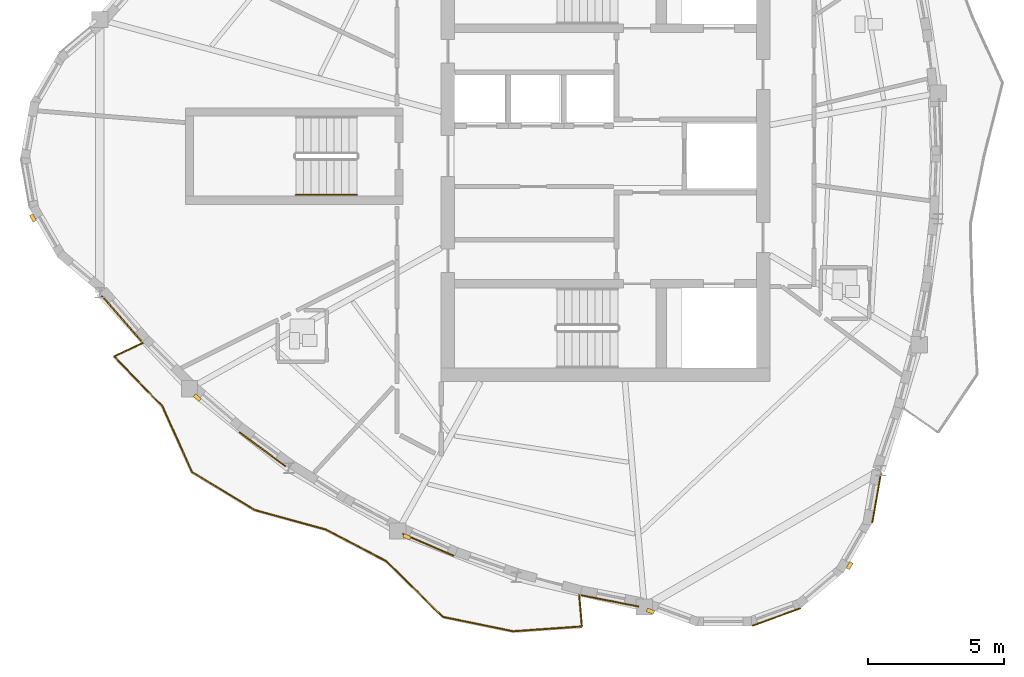
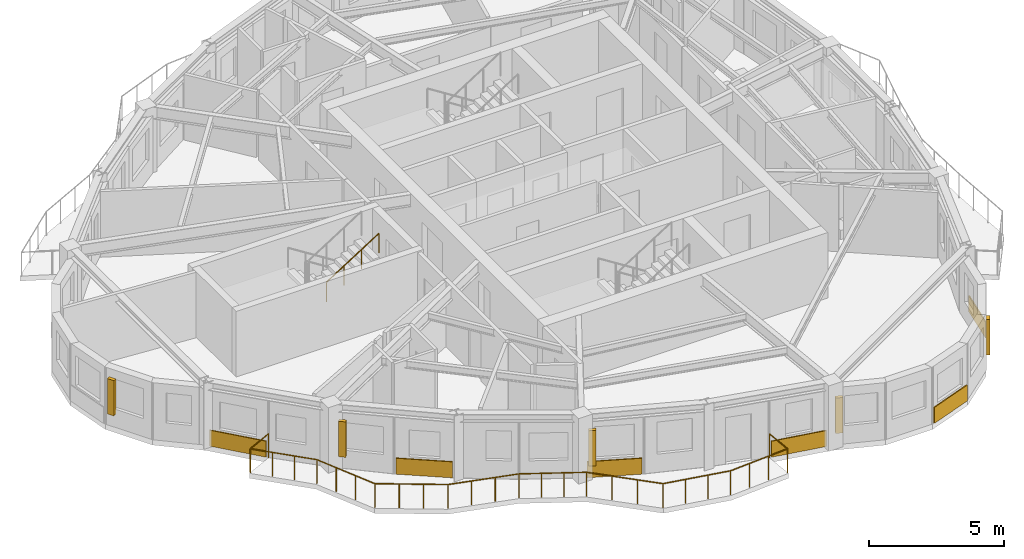
# One storey, part 9 of 12: 6 coverings, 5 shading devices, 2 railings.
"""IFC4 building model written with IfcOpenShell, lengths in metres."""

from ifc_helpers import new_model, si_unit, direction, frame, origin, origin_2d, place, context, subcontext, project, spatial, rectangle, circle, extrude, source, transform, mapped, material, layer, layer_set, type_object, element, save


model = new_model("IFC4")

# Units and contexts
model_context = context("Model", 3, precision=1e-05, world=origin(), true_north=direction((0.0, 1.0)))
body_context = subcontext(model_context, "Body", "Model", "MODEL_VIEW")
ifc_project = project(units=[si_unit("LENGTHUNIT", "METRE"), si_unit("AREAUNIT", "SQUARE_METRE"), si_unit("VOLUMEUNIT", "CUBIC_METRE"), si_unit("PLANEANGLEUNIT", "RADIAN"), si_unit("MASSUNIT", "GRAM", prefix="KILO")], contexts=[model_context])

# Site, building, storey
site_placement = place(None, origin())
site = spatial("IfcSite", under=ifc_project, at=site_placement, CompositionType="ELEMENT")
building_placement = place(site_placement, origin())
building = spatial("IfcBuilding", under=site, at=building_placement, Name="Qafzar Sky-Pleat Residences", CompositionType="ELEMENT")
storey_placement = place(building_placement, frame((0.0, 0.0, 198.800048828125)))
storey = spatial("IfcBuildingStorey", under=building, at=storey_placement, Name="L59", CompositionType="ELEMENT", Elevation=198.800048828125)

# Shading devices
ifc_material_1 = material(Name="Honed Riyadh limestone solar fin", Category="masonry")
ifc_layer_1 = layer(ifc_material_1, 0.139892578125)
ifc_layer_set_1 = layer_set([ifc_layer_1], Name="Honed Riyadh limestone solar fin")
shading_device_type = type_object("IfcShadingDeviceType", Name="SHD-FIN-STONE", PredefinedType="SHUTTER", material=ifc_layer_set_1)
shared_shape_1 = source(origin(), body_context, "Body", "SweptSolid", [
    extrude(rectangle(XDim=0.139892578125, YDim=0.280029296875, at=origin_2d()), origin(), (0.0, 0.0, 1.0), 1.60009765625),
])
for number, where, z_axis, x_axis, name in (
    (1, (9.28466796875, 23.72216796875, 0.599853515625), (0.0, 0.0, 1.0), (-0.86604422228, -0.499967403994, 0.0), "L59 Limestone Solar Fin 5"),
    (2, (15.3291015625, 17.113525390625, 0.599853515625), (0.0, 0.0, 1.0), (-0.652865714496, -0.757473668741, 0.0), "L59 Limestone Solar Fin 9"),
    (3, (23.043701171875, 11.990966796875, 0.599853515625), (0.0, 0.0, 1.0), (-0.398671159383, -0.917093946483, 0.0), "L59 Limestone Solar Fin 13"),
    (4, (32.003173828125, 9.256591796875, 0.599853515625), (0.0, 0.0, 1.0), (-0.342053959704, -0.939680311942, 0.0), "L59 Limestone Solar Fin 17"),
    (5, (39.330322265625, 10.930908203125, 0.599853515625), (0.0, 0.0, 1.0), (0.86604422228, -0.499967403994, 0.0), "L59 Limestone Solar Fin 21"),
):
    element("IfcShadingDevice", number, at=place(storey_placement, frame(where, z_axis=z_axis, x_axis=x_axis)), inside=storey, type_object=shading_device_type, Name=name, PredefinedType="SHUTTER", context=body_context, shape_type="MappedRepresentation", body=[
        mapped(shared_shape_1, transform((0.0, 0.0, 0.0), x_axis=(1.0, 0.0, 0.0), y_axis=(0.0, 1.0, 0.0), z_axis=(0.0, 0.0, 1.0), scale=1.0)),
    ])

# Coverings
ifc_material_2 = material(Name="Honed Riyadh Tuwaiq limestone cladding", Category="masonry")
ifc_layer_2 = layer(ifc_material_2, 0.044921875)
ifc_layer_set_2 = layer_set([ifc_layer_2], Name="Honed Riyadh Tuwaiq limestone cladding")
covering_type = type_object("IfcCoveringType", Name="COV-CLAD-STONE", PredefinedType="CLADDING", material=ifc_layer_set_2)
shared_shape_2 = source(origin(), body_context, "Body", "SweptSolid", [
    extrude(rectangle(XDim=1.88134765625, YDim=0.044921875, at=origin_2d()), origin(), (0.0, 0.0, 1.0), 0.719970703125),
])
covering_1_placement = place(storey_placement, frame((36.64111328125, 9.041748046875, 0.02001953125), z_axis=(0.0, 0.0, 1.0), x_axis=(0.939694209735, 0.342015777694, 0.0)))
element("IfcCovering", 6, at=covering_1_placement, inside=storey, type_object=covering_type, Name="L59 Riyadh Limestone Spandrel Cladding 19", PredefinedType="CLADDING", context=body_context, shape_type="MappedRepresentation", body=[
    mapped(shared_shape_2, transform((0.0, 0.0, 0.0), x_axis=(1.0, 0.0, 0.0), y_axis=(0.0, 1.0, 0.0), z_axis=(0.0, 0.0, 1.0), scale=1.0)),
])
shared_shape_3 = source(origin(), body_context, "Body", "SweptSolid", [
    extrude(rectangle(XDim=1.8291015625, YDim=0.044921875, at=origin_2d()), origin(), (0.0, 0.0, 1.0), 0.719970703125),
])
covering_2_placement = place(storey_placement, frame((40.32177734375, 13.40576171875, 0.02001953125), z_axis=(0.0, 0.0, 1.0), x_axis=(0.173695508338, 0.984799406165, 0.0)))
element("IfcCovering", 7, at=covering_2_placement, inside=storey, type_object=covering_type, Name="L59 Riyadh Limestone Spandrel Cladding 22", PredefinedType="CLADDING", context=body_context, shape_type="MappedRepresentation", body=[
    mapped(shared_shape_3, transform((0.0, 0.0, 0.0), x_axis=(1.0, 0.0, 0.0), y_axis=(0.0, 1.0, 0.0), z_axis=(0.0, 0.0, 1.0), scale=1.0)),
])

# Railing
ifc_material_3 = material(Name="Laminated glass and bronze steel balustrade", Category="steel")
railing_type_1 = type_object("IfcRailingType", Name="RAIL-BAL-1100", PredefinedType="BALUSTRADE", material=ifc_material_3)
shared_shape_4 = source(origin(), body_context, "Body", "SweptSolid", [
    extrude(circle(Radius=0.02392578125, at=origin_2d()), frame((0.0, 0.0, 1.076171875), z_axis=(-0.905536084906, -0.424269252873, 0.0), x_axis=(0.424269252873, -0.905536084906, 0.0)), (0.0, 0.0, 1.0), 1.177978515625),
    extrude(circle(Radius=0.02392578125, at=origin_2d()), frame((-1.066650390625, -0.499755859375, 1.076171875), z_axis=(0.69523722548, -0.718780356094, 0.0), x_axis=(0.718780356094, 0.69523722548, 0.0)), (0.0, 0.0, 1.0), 2.561279296875),
    extrude(circle(Radius=0.02392578125, at=origin_2d()), frame((0.714111328125, -2.3408203125, 1.076171875), z_axis=(0.409639012053, -0.912247707481, 0.0), x_axis=(0.912247707481, 0.409639012053, 0.0)), (0.0, 0.0, 1.0), 2.644287109375),
    extrude(circle(Radius=0.02392578125, at=origin_2d()), frame((1.79736328125, -4.753173828125, 1.076171875), z_axis=(0.855319046053, -0.518101659386, 0.0), x_axis=(0.518101659386, 0.855319046053, 0.0)), (0.0, 0.0, 1.0), 2.704833984375),
    extrude(circle(Radius=0.02392578125, at=origin_2d()), frame((4.11083984375, -6.154541015625, 1.076171875), z_axis=(0.964447609451, -0.264274116449, 0.0), x_axis=(0.264274116449, 0.964447609451, 0.0)), (0.0, 0.0, 1.0), 2.714111328125),
    extrude(circle(Radius=0.02392578125, at=origin_2d()), frame((6.728515625, -6.871826171875, 1.076171875), z_axis=(0.885758969061, -0.464145503832, 0.0), x_axis=(0.464145503832, 0.885758969061, 0.0)), (0.0, 0.0, 1.0), 2.502685546875),
    extrude(circle(Radius=0.02392578125, at=origin_2d()), frame((8.9453125, -8.033447265625, 1.076171875), z_axis=(0.71288863723, -0.701277256802, 0.0), x_axis=(0.701277256802, 0.71288863723, 0.0)), (0.0, 0.0, 1.0), 2.922607421875),
    extrude(circle(Radius=0.02392578125, at=origin_2d()), frame((11.02880859375, -10.0830078125, 1.076171875), z_axis=(0.9795526684, -0.201187896827, 0.0), x_axis=(0.201187896827, 0.9795526684, 0.0)), (0.0, 0.0, 1.0), 2.636962890625),
    extrude(circle(Radius=0.02392578125, at=origin_2d()), frame((13.61181640625, -10.613525390625, 1.076171875), z_axis=(0.997566397421, 0.069722899656, 0.0), x_axis=(-0.069722899656, 0.997566397421, 0.0)), (0.0, 0.0, 1.0), 2.53857421875),
    extrude(circle(Radius=0.02392578125, at=origin_2d()), frame((16.144287109375, -10.4365234375, 1.076171875), z_axis=(-0.085189498507, 0.996364767213, 0.0), x_axis=(-0.996364767213, -0.085189498507, 0.0)), (0.0, 0.0, 1.0), 1.177978515625),
    extrude(circle(Radius=0.02099609375, at=origin_2d()), origin(), (0.0, 0.0, 1.0), 1.052001953125),
    extrude(circle(Radius=0.02099609375, at=origin_2d()), frame((-1.066650390625, -0.499755859375, 0.0)), (0.0, 0.0, 1.0), 1.052001953125),
    extrude(circle(Radius=0.02099609375, at=origin_2d()), frame((-0.47314453125, -1.113525390625, 0.0)), (0.0, 0.0, 1.0), 1.052001953125),
    extrude(circle(Radius=0.02099609375, at=origin_2d()), frame((0.12060546875, -1.72705078125, 0.0)), (0.0, 0.0, 1.0), 1.052001953125),
    extrude(circle(Radius=0.02099609375, at=origin_2d()), frame((0.714111328125, -2.3408203125, 0.0)), (0.0, 0.0, 1.0), 1.052001953125),
    extrude(circle(Radius=0.02099609375, at=origin_2d()), frame((1.0751953125, -3.14501953125, 0.0)), (0.0, 0.0, 1.0), 1.052001953125),
    extrude(circle(Radius=0.02099609375, at=origin_2d()), frame((1.436279296875, -3.948974609375, 0.0)), (0.0, 0.0, 1.0), 1.052001953125),
    extrude(circle(Radius=0.02099609375, at=origin_2d()), frame((1.79736328125, -4.753173828125, 0.0)), (0.0, 0.0, 1.0), 1.052001953125),
    extrude(circle(Radius=0.02099609375, at=origin_2d()), frame((2.568603515625, -5.22021484375, 0.0)), (0.0, 0.0, 1.0), 1.052001953125),
    extrude(circle(Radius=0.02099609375, at=origin_2d()), frame((3.339599609375, -5.6875, 0.0)), (0.0, 0.0, 1.0), 1.052001953125),
    extrude(circle(Radius=0.02099609375, at=origin_2d()), frame((4.11083984375, -6.154541015625, 0.0)), (0.0, 0.0, 1.0), 1.052001953125),
    extrude(circle(Radius=0.02099609375, at=origin_2d()), frame((4.9833984375, -6.3935546875, 0.0)), (0.0, 0.0, 1.0), 1.052001953125),
    extrude(circle(Radius=0.02099609375, at=origin_2d()), frame((5.85595703125, -6.6328125, 0.0)), (0.0, 0.0, 1.0), 1.052001953125),
    extrude(circle(Radius=0.02099609375, at=origin_2d()), frame((6.728515625, -6.871826171875, 0.0)), (0.0, 0.0, 1.0), 1.052001953125),
    extrude(circle(Radius=0.02099609375, at=origin_2d()), frame((7.467529296875, -7.259033203125, 0.0)), (0.0, 0.0, 1.0), 1.052001953125),
    extrude(circle(Radius=0.02099609375, at=origin_2d()), frame((8.206298828125, -7.646240234375, 0.0)), (0.0, 0.0, 1.0), 1.052001953125),
    extrude(circle(Radius=0.02099609375, at=origin_2d()), frame((8.9453125, -8.033447265625, 0.0)), (0.0, 0.0, 1.0), 1.052001953125),
    extrude(circle(Radius=0.02099609375, at=origin_2d()), frame((9.639892578125, -8.716552734375, 0.0)), (0.0, 0.0, 1.0), 1.052001953125),
    extrude(circle(Radius=0.02099609375, at=origin_2d()), frame((10.334228515625, -9.39990234375, 0.0)), (0.0, 0.0, 1.0), 1.052001953125),
    extrude(circle(Radius=0.02099609375, at=origin_2d()), frame((11.02880859375, -10.0830078125, 0.0)), (0.0, 0.0, 1.0), 1.052001953125),
    extrude(circle(Radius=0.02099609375, at=origin_2d()), frame((11.889892578125, -10.259765625, 0.0)), (0.0, 0.0, 1.0), 1.052001953125),
    extrude(circle(Radius=0.02099609375, at=origin_2d()), frame((12.750732421875, -10.436767578125, 0.0)), (0.0, 0.0, 1.0), 1.052001953125),
    extrude(circle(Radius=0.02099609375, at=origin_2d()), frame((13.61181640625, -10.613525390625, 0.0)), (0.0, 0.0, 1.0), 1.052001953125),
    extrude(circle(Radius=0.02099609375, at=origin_2d()), frame((14.4560546875, -10.554443359375, 0.0)), (0.0, 0.0, 1.0), 1.052001953125),
    extrude(circle(Radius=0.02099609375, at=origin_2d()), frame((15.300048828125, -10.49560546875, 0.0)), (0.0, 0.0, 1.0), 1.052001953125),
    extrude(circle(Radius=0.02099609375, at=origin_2d()), frame((16.144287109375, -10.4365234375, 0.0)), (0.0, 0.0, 1.0), 1.052001953125),
    extrude(circle(Radius=0.02099609375, at=origin_2d()), frame((16.0439453125, -9.262939453125, 0.0)), (0.0, 0.0, 1.0), 1.052001953125),
])
railing_1_placement = place(storey_placement, frame((13.33740234375, 19.129638671875, 0.0)))
element("IfcRailing", 8, at=railing_1_placement, inside=storey, type_object=railing_type_1, Name="L59 Pleated Balcony 3 Balustrade", PredefinedType="BALUSTRADE", context=body_context, shape_type="MappedRepresentation", body=[
    mapped(shared_shape_4, transform((0.0, 0.0, 0.0), x_axis=(1.0, 0.0, 0.0), y_axis=(0.0, 1.0, 0.0), z_axis=(0.0, 0.0, 1.0), scale=1.0)),
])

# Coverings
shared_shape_5 = source(origin(), body_context, "Body", "SweptSolid", [
    extrude(rectangle(XDim=2.21728515625, YDim=0.044921875, at=origin_2d()), origin(), (0.0, 0.0, 1.0), 0.719970703125),
])
covering_3_placement = place(storey_placement, frame((12.546630859375, 20.01953125, 0.02001953125), z_axis=(0.0, 0.0, 1.0), x_axis=(0.65760755629, -0.753360671863, 0.0)))
element("IfcCovering", 9, at=covering_3_placement, inside=storey, type_object=covering_type, Name="L59 Riyadh Limestone Spandrel Cladding 7", PredefinedType="CLADDING", context=body_context, shape_type="MappedRepresentation", body=[
    mapped(shared_shape_5, transform((0.0, 0.0, 0.0), x_axis=(1.0, 0.0, 0.0), y_axis=(0.0, 1.0, 0.0), z_axis=(0.0, 0.0, 1.0), scale=1.0)),
])
shared_shape_6 = source(origin(), body_context, "Body", "SweptSolid", [
    extrude(rectangle(XDim=2.04931640625, YDim=0.044921875, at=origin_2d()), origin(), (0.0, 0.0, 1.0), 0.719970703125),
])
covering_4_placement = place(storey_placement, frame((23.82666015625, 11.697509765625, 0.02001953125), z_axis=(0.0, 0.0, 1.0), x_axis=(0.917088208858, -0.398684357824, 0.0)))
element("IfcCovering", 10, at=covering_4_placement, inside=storey, type_object=covering_type, Name="L59 Riyadh Limestone Spandrel Cladding 13", PredefinedType="CLADDING", context=body_context, shape_type="MappedRepresentation", body=[
    mapped(shared_shape_6, transform((0.0, 0.0, 0.0), x_axis=(1.0, 0.0, 0.0), y_axis=(0.0, 1.0, 0.0), z_axis=(0.0, 0.0, 1.0), scale=1.0)),
])
shared_shape_7 = source(origin(), body_context, "Body", "SweptSolid", [
    extrude(rectangle(XDim=2.154296875, YDim=0.044921875, at=origin_2d()), origin(), (0.0, 0.0, 1.0), 0.719970703125),
])
covering_5_placement = place(storey_placement, frame((30.51318359375, 9.633544921875, 0.02001953125), z_axis=(0.0, 0.0, 1.0), x_axis=(0.981235554426, -0.192812828229, 0.0)))
element("IfcCovering", 11, at=covering_5_placement, inside=storey, type_object=covering_type, Name="L59 Riyadh Limestone Spandrel Cladding 16", PredefinedType="CLADDING", context=body_context, shape_type="MappedRepresentation", body=[
    mapped(shared_shape_7, transform((0.0, 0.0, 0.0), x_axis=(1.0, 0.0, 0.0), y_axis=(0.0, 1.0, 0.0), z_axis=(0.0, 0.0, 1.0), scale=1.0)),
])
shared_shape_8 = source(origin(), body_context, "Body", "SweptSolid", [
    extrude(rectangle(XDim=2.1123046875, YDim=0.044921875, at=origin_2d()), origin(), (0.0, 0.0, 1.0), 0.719970703125),
])
covering_6_placement = place(storey_placement, frame((17.728271484375, 15.213623046875, 0.02001953125), z_axis=(0.0, 0.0, 1.0), x_axis=(0.803838639455, -0.59484741045, 0.0)))
element("IfcCovering", 12, at=covering_6_placement, inside=storey, type_object=covering_type, Name="L59 Riyadh Limestone Spandrel Cladding 10", PredefinedType="CLADDING", context=body_context, shape_type="MappedRepresentation", body=[
    mapped(shared_shape_8, transform((0.0, 0.0, 0.0), x_axis=(1.0, 0.0, 0.0), y_axis=(0.0, 1.0, 0.0), z_axis=(0.0, 0.0, 1.0), scale=1.0)),
])

# Railing
ifc_material_4 = material(Name="Brushed stainless steel handrail", Category="steel")
railing_type_2 = type_object("IfcRailingType", Name="RAIL-STAIR-HAND", PredefinedType="HANDRAIL", material=ifc_material_4)
shared_shape_9 = source(origin(), body_context, "Body", "SweptSolid", [
    extrude(circle(Radius=0.02392578125, at=origin_2d()), frame((0.0, 0.0, 0.8759765625), z_axis=(0.8442293374, 0.0, 0.53598211339), x_axis=(0.0, 1.0, 0.0)), (0.0, 0.0, 1.0), 2.6533203125),
    extrude(circle(Radius=0.02099609375, at=origin_2d()), origin(), (0.0, 0.0, 1.0), 0.851806640625),
    extrude(circle(Radius=0.02099609375, at=origin_2d()), frame((0.74658203125, 0.0, 0.47412109375)), (0.0, 0.0, 1.0), 0.851806640625),
    extrude(circle(Radius=0.02099609375, at=origin_2d()), frame((1.493408203125, 0.0, 0.947998046875)), (0.0, 0.0, 1.0), 0.851806640625),
    extrude(circle(Radius=0.02099609375, at=origin_2d()), frame((2.239990234375, 0.0, 1.422119140625)), (0.0, 0.0, 1.0), 0.851806640625),
])
railing_2_placement = place(storey_placement, frame((18.9599609375, 24.574951171875, 1.77783203125)))
element("IfcRailing", 13, at=railing_2_placement, inside=storey, type_object=railing_type_2, Name="L59 ST3 stair handrail 2", PredefinedType="HANDRAIL", context=body_context, shape_type="MappedRepresentation", body=[
    mapped(shared_shape_9, transform((0.0, 0.0, 0.0), x_axis=(1.0, 0.0, 0.0), y_axis=(0.0, 1.0, 0.0), z_axis=(0.0, 0.0, 1.0), scale=1.0)),
])

save(model, "model.ifc")
